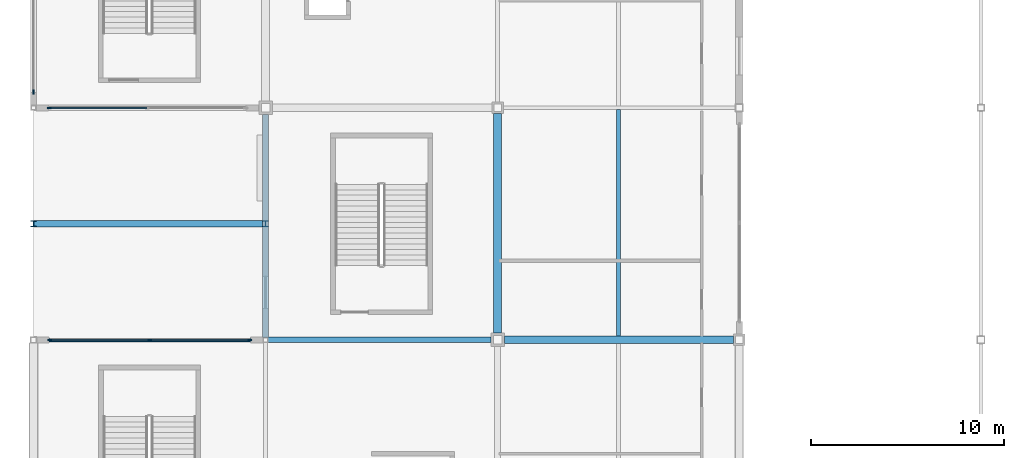
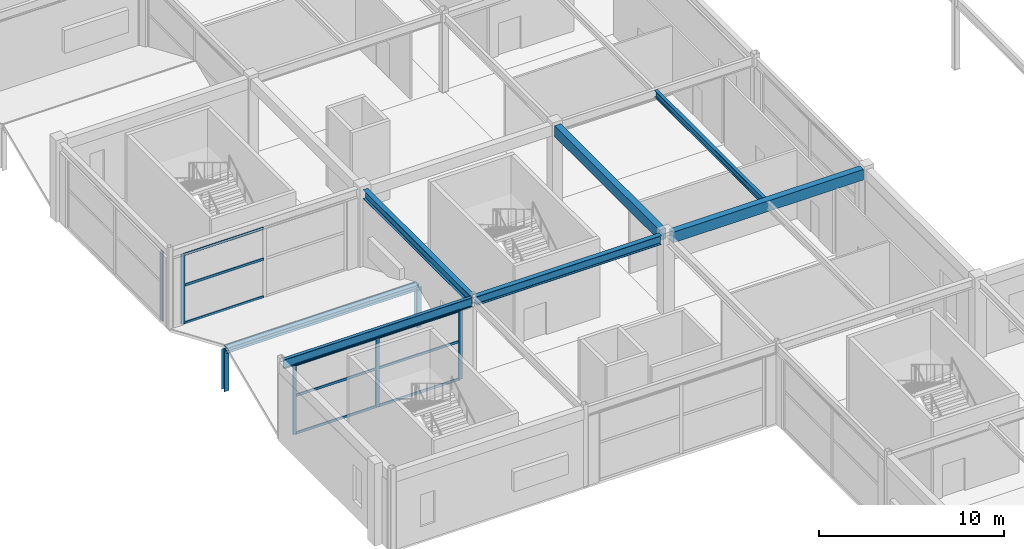
# One storey, part 29 of 105: 17 members, 6 beams, 3 elements without a shape of their own.
"""IFC4 building model written with IfcOpenShell, lengths in metres."""

from ifc_helpers import new_model, si_unit, direction, frame, origin, origin_2d, place, context, subcontext, project, spatial, rectangle, i_section, extrude, material, layer, layer_set, material_profile, profile_set, type_object, element, aggregate, save


model = new_model("IFC4")

# Units and contexts
model_context = context("Model", 3, precision=1e-05, world=origin(), true_north=direction((0.0, 1.0)))
body_context = subcontext(model_context, "Body", "Model", "MODEL_VIEW")
ifc_project = project(units=[si_unit("LENGTHUNIT", "METRE"), si_unit("AREAUNIT", "SQUARE_METRE"), si_unit("VOLUMEUNIT", "CUBIC_METRE"), si_unit("PLANEANGLEUNIT", "RADIAN"), si_unit("MASSUNIT", "GRAM", prefix="KILO")], contexts=[model_context])

# Site, building, storey
site_placement = place(None, origin())
site = spatial("IfcSite", under=ifc_project, at=site_placement, CompositionType="ELEMENT")
building_placement = place(site_placement, origin())
building = spatial("IfcBuilding", under=site, at=building_placement, Name="Kazenohara Klinker Stadium", CompositionType="ELEMENT")
storey_placement = place(building_placement, frame((0.0, 0.0, 20.39990234375)))
storey = spatial("IfcBuildingStorey", under=building, at=storey_placement, Name="L04", CompositionType="ELEMENT", Elevation=20.39990234375)

# Beams
ifc_material_1 = material(Name="Steel S355", Category="steel")
ifc_material_profile_1 = material_profile(ifc_material_1, i_section(OverallWidth=0.199951171875, OverallDepth=0.449951171875, WebThickness=0.009033203125, FlangeThickness=0.013916015625, FilletRadius=0.012939453125, at=origin_2d()), Name="H-450x200x9x14")
ifc_profile_set_1 = profile_set([ifc_material_profile_1], Name="Steel S355")
beam_type_1 = type_object("IfcBeamType", Name="BM-JST02", PredefinedType="JOIST", material=ifc_profile_set_1)
beam_1_placement = place(storey_placement, frame((30.25, 48.199951171875, 4.955078125), z_axis=(0.0, 1.0, 0.0), x_axis=(-1.0, 0.0, 0.0)))
element("IfcBeam", 1, at=beam_1_placement, inside=storey, type_object=beam_type_1, Name="Secondary floor joist SJ02 L04 3/E", PredefinedType="JOIST", context=body_context, shape_type="SweptSolid", body=[
    extrude(i_section(OverallWidth=0.199951171875, OverallDepth=0.449951171875, WebThickness=0.009033203125, FlangeThickness=0.013916015625, FilletRadius=0.012939453125, at=origin_2d()), origin(), (0.0, 0.0, 1.0), 11.699951171875),
])
ifc_material_2 = material(Name="Concrete C40/50", Category="concrete")
ifc_material_profile_2 = material_profile(ifc_material_2, rectangle(XDim=0.39990234375, YDim=0.699951171875, at=origin_2d()), Name="RC-BM-400x700")
ifc_profile_set_2 = profile_set([ifc_material_profile_2], Name="Concrete C40/50")
beam_type_2 = type_object("IfcBeamType", Name="BM-RC04", PredefinedType="BEAM", material=ifc_profile_set_2)
beam_2_placement = place(storey_placement, frame((24.35009765625, 48.0, 4.830078125), z_axis=(1.0, 0.0, 0.0), x_axis=(0.0, 1.0, 0.0)))
element("IfcBeam", 2, at=beam_2_placement, inside=storey, type_object=beam_type_2, Name="Primary girder BG04 L04 3-4/E", PredefinedType="BEAM", context=body_context, shape_type="SweptSolid", body=[
    extrude(rectangle(XDim=0.39990234375, YDim=0.699951171875, at=origin_2d()), origin(), (0.0, 0.0, 1.0), 11.849853515625),
])
beam_3_placement = place(storey_placement, frame((24.0, 48.35009765625, 4.830078125), z_axis=(0.0, 1.0, 0.0), x_axis=(-1.0, 0.0, 0.0)))
element("IfcBeam", 3, at=beam_3_placement, inside=storey, type_object=beam_type_2, Name="Primary girder BG04 L04 3/E-F", PredefinedType="BEAM", context=body_context, shape_type="SweptSolid", body=[
    extrude(rectangle(XDim=0.39990234375, YDim=0.699951171875, at=origin_2d()), origin(), (0.0, 0.0, 1.0), 11.349853515625),
])
ifc_material_profile_3 = material_profile(ifc_material_1, i_section(OverallWidth=0.199951171875, OverallDepth=0.60009765625, WebThickness=0.010986328125, FlangeThickness=0.01708984375, FilletRadius=0.012939453125, at=origin_2d()), Name="H-600x200x11x17")
ifc_profile_set_3 = profile_set([ifc_material_profile_3], Name="Steel S355")
beam_type_3 = type_object("IfcBeamType", Name="BM-ST04", PredefinedType="BEAM", material=ifc_profile_set_3)
beam_4_placement = place(storey_placement, frame((0.14990234375, 48.0, 4.880126953125), z_axis=(1.0, 0.0, 0.0), x_axis=(0.0, 1.0, 0.0)))
element("IfcBeam", 4, at=beam_4_placement, inside=storey, type_object=beam_type_3, Name="Primary girder SB04 L04 1-2/E", PredefinedType="BEAM", context=body_context, shape_type="SweptSolid", body=[
    extrude(i_section(OverallWidth=0.199951171875, OverallDepth=0.60009765625, WebThickness=0.010986328125, FlangeThickness=0.01708984375, FilletRadius=0.012939453125, at=origin_2d()), origin(), (0.0, 0.0, 1.0), 11.72509765625),
])
ifc_material_profile_4 = material_profile(ifc_material_1, i_section(OverallWidth=0.300048828125, OverallDepth=0.587890625, WebThickness=0.011962890625, FlangeThickness=0.02001953125, FilletRadius=0.02197265625, at=origin_2d()), Name="H-588x300x12x20")
ifc_profile_set_4 = profile_set([ifc_material_profile_4], Name="Steel S355")
beam_type_4 = type_object("IfcBeamType", Name="BM-ST05", PredefinedType="BEAM", material=ifc_profile_set_4)
for number, where, z_axis, x_axis, name in (
    (5, (12.125, 48.0, 4.885986328125), (1.0, 0.0, 0.0), (0.0, 1.0, 0.0), "Primary girder SB05 L04 2-3/E"),
    (6, (12.0, 48.125, 4.885986328125), (0.0, 1.0, 0.0), (-1.0, 0.0, 0.0), "Primary girder SB05 L04 2/E-F"),
):
    element("IfcBeam", number, at=place(storey_placement, frame(where, z_axis=z_axis, x_axis=x_axis)), inside=storey, type_object=beam_type_4, Name=name, PredefinedType="BEAM", context=body_context, shape_type="SweptSolid", body=[
        extrude(i_section(OverallWidth=0.300048828125, OverallDepth=0.587890625, WebThickness=0.011962890625, FlangeThickness=0.02001953125, FilletRadius=0.02197265625, at=origin_2d()), origin(), (0.0, 0.0, 1.0), 11.52490234375),
    ])

# Curtain wall, members
ifc_material_3 = material(Name="Anodised aluminium and triple glazing", Category="aluminium")
ifc_layer_1 = layer(ifc_material_3, 0.159912109375)
ifc_layer_set_1 = layer_set([ifc_layer_1], Name="Anodised aluminium and triple glazing")
curtain_wall_type_1 = type_object("IfcCurtainWallType", Name="CW-SYS-01", PredefinedType="USERDEFINED", material=ifc_layer_set_1)
curtain_wall_1_placement = place(storey_placement, origin())
curtain_wall_1 = element("IfcCurtainWall", 7, at=curtain_wall_1_placement, inside=storey, type_object=curtain_wall_type_1, Name="Unitised facade curtain wall CW01 L04 X0-4", ObjectType="UNITISED CURTAIN WALL", PredefinedType="USERDEFINED")
ifc_material_4 = material(Name="Anodised aluminium 6063-T6", Category="aluminium")
ifc_material_profile_5 = material_profile(ifc_material_4, rectangle(XDim=0.074951171875, YDim=0.219970703125, at=origin_2d()), Name="ALU-MUL-75x220")
ifc_profile_set_5 = profile_set([ifc_material_profile_5], Name="Anodised aluminium 6063-T6")
member_type_1 = type_object("IfcMemberType", Name="CW-MUL-220", PredefinedType="MULLION", material=ifc_profile_set_5)
member_1_placement = place(storey_placement, frame((0.841552734375, 48.0, 0.0), z_axis=(0.0, 0.0, 1.0), x_axis=(0.0, 1.0, 0.0)))
member_1 = element("IfcMember", 8, at=member_1_placement, type_object=member_type_1, Name="CW01 mullion 1", PredefinedType="MULLION", context=body_context, shape_type="SweptSolid", body=[
    extrude(rectangle(XDim=0.074951171875, YDim=0.219970703125, at=origin_2d()), origin(), (0.0, 0.0, 1.0), 4.580078125),
])
member_2_placement = place(storey_placement, frame((6.012451171875, 48.0, 0.0), z_axis=(0.0, 0.0, 1.0), x_axis=(0.0, 1.0, 0.0)))
member_2 = element("IfcMember", 9, at=member_2_placement, type_object=member_type_1, Name="CW01 mullion 2", PredefinedType="MULLION", context=body_context, shape_type="SweptSolid", body=[
    extrude(rectangle(XDim=0.074951171875, YDim=0.219970703125, at=origin_2d()), origin(), (0.0, 0.0, 1.0), 4.580078125),
])
member_3_placement = place(storey_placement, frame((11.18359375, 48.0, 0.0), z_axis=(0.0, 0.0, 1.0), x_axis=(0.0, 1.0, 0.0)))
member_3 = element("IfcMember", 10, at=member_3_placement, type_object=member_type_1, Name="CW01 mullion 3", PredefinedType="MULLION", context=body_context, shape_type="SweptSolid", body=[
    extrude(rectangle(XDim=0.074951171875, YDim=0.219970703125, at=origin_2d()), origin(), (0.0, 0.0, 1.0), 4.580078125),
])

# Curtain wall, member
ifc_layer_2 = layer(ifc_material_3, 0.179931640625)
ifc_layer_set_2 = layer_set([ifc_layer_2], Name="Anodised aluminium and triple glazing")
curtain_wall_type_2 = type_object("IfcCurtainWallType", Name="CW-SYS-02", PredefinedType="USERDEFINED", material=ifc_layer_set_2)
curtain_wall_2_placement = place(storey_placement, origin())
curtain_wall_2 = element("IfcCurtainWall", 11, at=curtain_wall_2_placement, inside=storey, type_object=curtain_wall_type_2, Name="Unitised facade curtain wall CW02 L04 X0-5", ObjectType="UNITISED CURTAIN WALL", PredefinedType="USERDEFINED")
member_4_placement = place(storey_placement, frame((0.81640625, 60.0, 0.0), z_axis=(0.0, 0.0, 1.0), x_axis=(0.0, 1.0, 0.0)))
member_4 = element("IfcMember", 12, at=member_4_placement, type_object=member_type_1, Name="CW02 mullion 1", PredefinedType="MULLION", context=body_context, shape_type="SweptSolid", body=[
    extrude(rectangle(XDim=0.074951171875, YDim=0.219970703125, at=origin_2d()), origin(), (0.0, 0.0, 1.0), 4.592041015625),
])

ifc_layer_3 = layer(ifc_material_3, 0.199951171875)
ifc_layer_set_3 = layer_set([ifc_layer_3], Name="Anodised aluminium and triple glazing")
curtain_wall_type_3 = type_object("IfcCurtainWallType", Name="CW-SYS-03", PredefinedType="USERDEFINED", material=ifc_layer_set_3)
curtain_wall_3_placement = place(storey_placement, origin())
curtain_wall_3 = element("IfcCurtainWall", 13, at=curtain_wall_3_placement, inside=storey, type_object=curtain_wall_type_3, Name="Unitised facade curtain wall CW03 L04 Y0-5", ObjectType="UNITISED CURTAIN WALL", PredefinedType="USERDEFINED")
member_5_placement = place(storey_placement, frame((0.0, 60.81640625, 0.0), z_axis=(0.0, 0.0, 1.0), x_axis=(-1.0, 0.0, 0.0)))
member_5 = element("IfcMember", 14, at=member_5_placement, type_object=member_type_1, Name="CW03 mullion 1", PredefinedType="MULLION", context=body_context, shape_type="SweptSolid", body=[
    extrude(rectangle(XDim=0.074951171875, YDim=0.219970703125, at=origin_2d()), origin(), (0.0, 0.0, 1.0), 4.592041015625),
])
aggregate(curtain_wall_3, [member_5])

# Member
ifc_material_profile_6 = material_profile(ifc_material_4, rectangle(XDim=0.074951171875, YDim=0.159912109375, at=origin_2d()), Name="ALU-TRN-75x160")
ifc_profile_set_6 = profile_set([ifc_material_profile_6], Name="Anodised aluminium 6063-T6")
member_type_2 = type_object("IfcMemberType", Name="CW-TRN-160", PredefinedType="USERDEFINED", material=ifc_profile_set_6)
member_6_placement = place(storey_placement, frame((0.87890625, 48.0, 0.03759765625), z_axis=(1.0, 0.0, 0.0), x_axis=(0.0, 1.0, 0.0)))
member_6 = element("IfcMember", 15, at=member_6_placement, type_object=member_type_2, Name="CW01 transom 1.1", ObjectType="TRANSOM", PredefinedType="USERDEFINED", context=body_context, shape_type="SweptSolid", body=[
    extrude(rectangle(XDim=0.074951171875, YDim=0.159912109375, at=origin_2d()), origin(), (0.0, 0.0, 1.0), 5.09619140625),
])

member_7_placement = place(storey_placement, frame((0.87890625, 48.0, 2.51904296875), z_axis=(1.0, 0.0, 0.0), x_axis=(0.0, 1.0, 0.0)))
member_7 = element("IfcMember", 16, at=member_7_placement, type_object=member_type_2, Name="CW01 transom 1.2", ObjectType="TRANSOM", PredefinedType="USERDEFINED", context=body_context, shape_type="SweptSolid", body=[
    extrude(rectangle(XDim=0.074951171875, YDim=0.159912109375, at=origin_2d()), origin(), (0.0, 0.0, 1.0), 5.09619140625),
])

member_8_placement = place(storey_placement, frame((0.87890625, 48.0, 4.54248046875), z_axis=(1.0, 0.0, 0.0), x_axis=(0.0, 1.0, 0.0)))
member_8 = element("IfcMember", 17, at=member_8_placement, type_object=member_type_2, Name="CW01 transom 1.3", ObjectType="TRANSOM", PredefinedType="USERDEFINED", context=body_context, shape_type="SweptSolid", body=[
    extrude(rectangle(XDim=0.074951171875, YDim=0.159912109375, at=origin_2d()), origin(), (0.0, 0.0, 1.0), 5.09619140625),
])

member_9_placement = place(storey_placement, frame((6.050048828125, 48.0, 0.03759765625), z_axis=(1.0, 0.0, 0.0), x_axis=(0.0, 1.0, 0.0)))
member_9 = element("IfcMember", 18, at=member_9_placement, type_object=member_type_2, Name="CW01 transom 2.1", ObjectType="TRANSOM", PredefinedType="USERDEFINED", context=body_context, shape_type="SweptSolid", body=[
    extrude(rectangle(XDim=0.074951171875, YDim=0.159912109375, at=origin_2d()), origin(), (0.0, 0.0, 1.0), 5.095947265625),
])

member_10_placement = place(storey_placement, frame((6.050048828125, 48.0, 2.51904296875), z_axis=(1.0, 0.0, 0.0), x_axis=(0.0, 1.0, 0.0)))
member_10 = element("IfcMember", 19, at=member_10_placement, type_object=member_type_2, Name="CW01 transom 2.2", ObjectType="TRANSOM", PredefinedType="USERDEFINED", context=body_context, shape_type="SweptSolid", body=[
    extrude(rectangle(XDim=0.074951171875, YDim=0.159912109375, at=origin_2d()), origin(), (0.0, 0.0, 1.0), 5.095947265625),
])

member_11_placement = place(storey_placement, frame((6.050048828125, 48.0, 4.54248046875), z_axis=(1.0, 0.0, 0.0), x_axis=(0.0, 1.0, 0.0)))
member_11 = element("IfcMember", 20, at=member_11_placement, type_object=member_type_2, Name="CW01 transom 2.3", ObjectType="TRANSOM", PredefinedType="USERDEFINED", context=body_context, shape_type="SweptSolid", body=[
    extrude(rectangle(XDim=0.074951171875, YDim=0.159912109375, at=origin_2d()), origin(), (0.0, 0.0, 1.0), 5.095947265625),
])

aggregate(curtain_wall_1, [member_1, member_2, member_3, member_6, member_7, member_8, member_9, member_10, member_11])

member_12_placement = place(storey_placement, frame((0.85400390625, 60.0, 0.03759765625), z_axis=(1.0, 0.0, 0.0), x_axis=(0.0, 1.0, 0.0)))
member_12 = element("IfcMember", 21, at=member_12_placement, type_object=member_type_2, Name="CW02 transom 1.1", ObjectType="TRANSOM", PredefinedType="USERDEFINED", context=body_context, shape_type="SweptSolid", body=[
    extrude(rectangle(XDim=0.074951171875, YDim=0.159912109375, at=origin_2d()), origin(), (0.0, 0.0, 1.0), 4.99609375),
])

member_13_placement = place(storey_placement, frame((0.85400390625, 60.0, 2.525634765625), z_axis=(1.0, 0.0, 0.0), x_axis=(0.0, 1.0, 0.0)))
member_13 = element("IfcMember", 22, at=member_13_placement, type_object=member_type_2, Name="CW02 transom 1.2", ObjectType="TRANSOM", PredefinedType="USERDEFINED", context=body_context, shape_type="SweptSolid", body=[
    extrude(rectangle(XDim=0.074951171875, YDim=0.159912109375, at=origin_2d()), origin(), (0.0, 0.0, 1.0), 4.99609375),
])

member_14_placement = place(storey_placement, frame((0.85400390625, 60.0, 4.5546875), z_axis=(1.0, 0.0, 0.0), x_axis=(0.0, 1.0, 0.0)))
member_14 = element("IfcMember", 23, at=member_14_placement, type_object=member_type_2, Name="CW02 transom 1.3", ObjectType="TRANSOM", PredefinedType="USERDEFINED", context=body_context, shape_type="SweptSolid", body=[
    extrude(rectangle(XDim=0.074951171875, YDim=0.159912109375, at=origin_2d()), origin(), (0.0, 0.0, 1.0), 4.99609375),
])

aggregate(curtain_wall_2, [member_4, member_12, member_13, member_14])

# Members
ifc_material_profile_7 = material_profile(ifc_material_1, i_section(OverallWidth=0.35009765625, OverallDepth=0.35009765625, WebThickness=0.011962890625, FlangeThickness=0.01904296875, FilletRadius=0.012939453125, at=origin_2d()), Name="H-350x350x12x19")
ifc_profile_set_7 = profile_set([ifc_material_profile_7], Name="Steel S355")
member_type_3 = type_object("IfcMemberType", Name="MEM-CHD02", PredefinedType="CHORD", material=ifc_profile_set_7)
member_15_placement = place(storey_placement, frame((0.0, 54.0, 2.22998046875), z_axis=(1.0, 0.0, 0.0), x_axis=(0.0, 1.0, 0.0)))
element("IfcMember", 24, at=member_15_placement, inside=storey, type_object=member_type_3, Name="Stepped pavilion gable ridge beam L04 1/E", PredefinedType="CHORD", context=body_context, shape_type="SweptSolid", body=[
    extrude(i_section(OverallWidth=0.35009765625, OverallDepth=0.35009765625, WebThickness=0.011962890625, FlangeThickness=0.01904296875, FilletRadius=0.012939453125, at=origin_2d()), origin(), (0.0, 0.0, 1.0), 12.0),
])
ifc_material_profile_8 = material_profile(ifc_material_1, i_section(OverallWidth=0.300048828125, OverallDepth=0.300048828125, WebThickness=0.010009765625, FlangeThickness=0.014892578125, FilletRadius=0.012939453125, at=origin_2d()), Name="H-300x300x10x15")
ifc_profile_set_8 = profile_set([ifc_material_profile_8], Name="Steel S355")
member_type_4 = type_object("IfcMemberType", Name="MEM-STR01", PredefinedType="STRUT", material=ifc_profile_set_8)
for number, where, z_axis, x_axis, name in (
    (25, (0.0, 54.0, -0.429931640625), (0.0, 0.0, 1.0), (1.0, 0.0, 0.0), "Stepped pavilion gable king-post L04 1/E W"),
    (26, (12.0, 54.0, -0.429931640625), (0.0, 0.0, 1.0), (1.0, 0.0, 0.0), "Stepped pavilion gable king-post L04 1/E E"),
):
    element("IfcMember", number, at=place(storey_placement, frame(where, z_axis=z_axis, x_axis=x_axis)), inside=storey, type_object=member_type_4, Name=name, PredefinedType="STRUT", context=body_context, shape_type="SweptSolid", body=[
        extrude(i_section(OverallWidth=0.300048828125, OverallDepth=0.300048828125, WebThickness=0.010009765625, FlangeThickness=0.014892578125, FilletRadius=0.012939453125, at=origin_2d()), origin(), (0.0, 0.0, 1.0), 2.659912109375),
    ])

save(model, "model.ifc")
